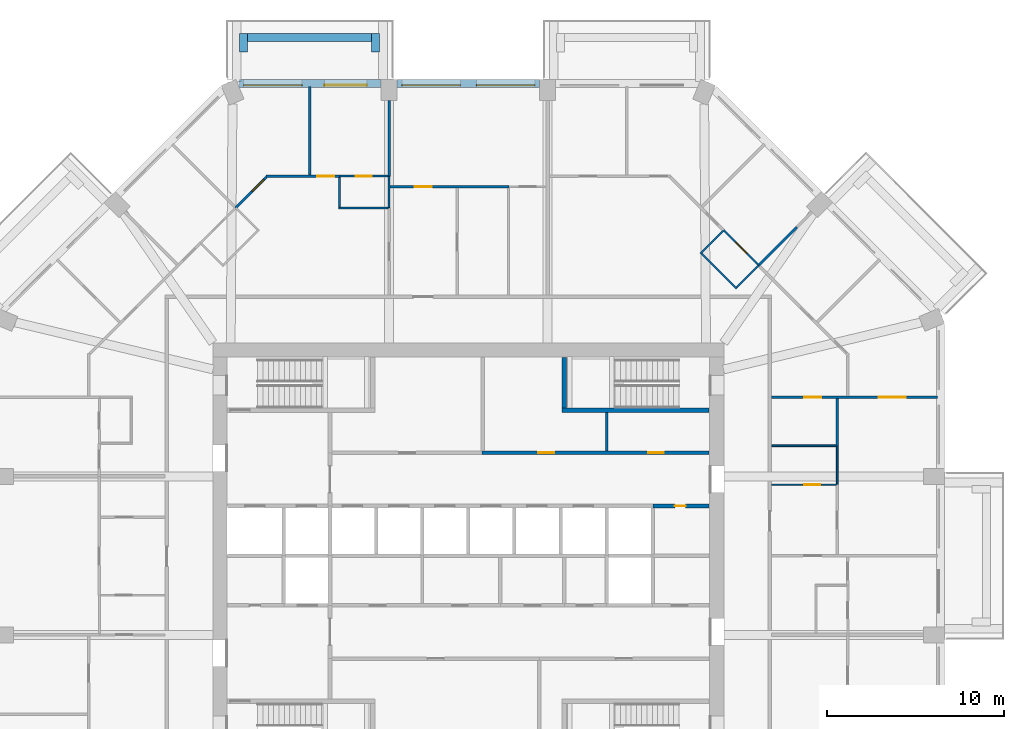
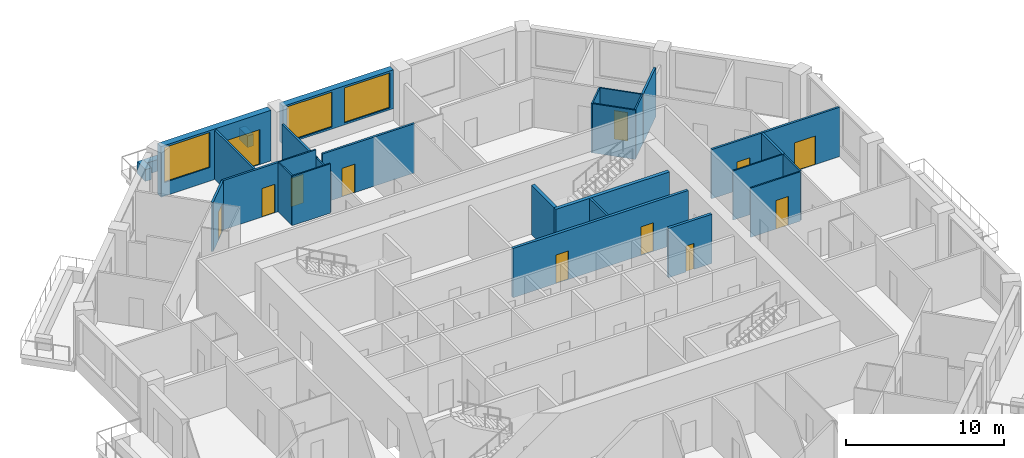
# One storey, part 9 of 13: 29 walls, 12 doors, 3 windows, 15 openings.
"""IFC4 building model written with IfcOpenShell, lengths in metres."""

from ifc_helpers import new_model, si_unit, direction, frame, frame_2d, origin, place, context, subcontext, project, spatial, rectangle, extrude, material, layer, layer_set, type_object, element, fill, save


model = new_model("IFC4")

# Units and contexts
model_context = context("Model", 3, precision=1e-05, world=origin(), true_north=direction((0.0, 1.0)))
body_context = subcontext(model_context, "Body", "Model", "MODEL_VIEW")
ifc_project = project(units=[si_unit("LENGTHUNIT", "METRE"), si_unit("AREAUNIT", "SQUARE_METRE"), si_unit("VOLUMEUNIT", "CUBIC_METRE"), si_unit("PLANEANGLEUNIT", "RADIAN"), si_unit("MASSUNIT", "GRAM", prefix="KILO")], contexts=[model_context])

# Site, building, storey
site_placement = place(None, origin())
site = spatial("IfcSite", under=ifc_project, at=site_placement, CompositionType="ELEMENT")
building_placement = place(site_placement, origin())
building = spatial("IfcBuilding", under=site, at=building_placement, Name="Msitu Wima Residences", CompositionType="ELEMENT")
storey_placement = place(building_placement, frame((0.0, 0.0, 152.699951171875)))
storey = spatial("IfcBuildingStorey", under=building, at=storey_placement, Name="L35", CompositionType="ELEMENT", Elevation=152.699951171875)

# Walls
ifc_material_1 = material(Name="Facing brick")
ifc_layer_1 = layer(ifc_material_1, 0.06494140625, Name="Facing brick")
ifc_material_2 = material(Name="Concrete C40/50", Category="concrete")
ifc_layer_2 = layer(ifc_material_2, 0.156005859375, Name="Concrete C40/50")
ifc_material_3 = material(Name="Waterproofing membrane")
ifc_layer_3 = layer(ifc_material_3, 0.00390625, Name="Waterproofing membrane")
ifc_material_4 = material(Name="Planting soil and planting")
ifc_layer_4 = layer(ifc_material_4, 0.22509765625, Name="Planting soil and planting")
ifc_layer_set_1 = layer_set([ifc_layer_1, ifc_layer_2, ifc_layer_3, ifc_layer_4], Name="Concrete C40/50")
wall_type_1 = type_object("IfcWallType", Name="Balcony planter PLANTER PL450", PredefinedType="USERDEFINED", material=ifc_layer_set_1)
wall_1_placement = place(storey_placement, frame((-5.468505859375, 29.22509765625, 0.0), z_axis=(0.0, 0.0, 1.0), x_axis=(-1.0, 0.0, 0.0)))
element("IfcWall", 1, at=wall_1_placement, inside=storey, type_object=wall_type_1, Name="Balcony planter N2 L35", ObjectType="PLANTER", PredefinedType="USERDEFINED", context=body_context, shape_type="SweptSolid", body=[
    extrude(rectangle(XDim=6.9873046875, YDim=0.449951171875, at=frame_2d((3.49365234375, 0.0))), origin(), (0.0, 0.0, 1.0), 0.900146484375),
])
for number, where, z_axis, x_axis, name in (
    (2, (-5.24365234375, 28.39990234375, 0.0), (0.0, 0.0, 1.0), (0.0, 1.0, 0.0), "Balcony planter N2 L35"),
    (3, (-12.680908203125, 28.39990234375, 0.0), (0.0, 0.0, 1.0), (0.0, 1.0, 0.0), "Balcony planter N2 L35"),
):
    element("IfcWall", number, at=place(storey_placement, frame(where, z_axis=z_axis, x_axis=x_axis)), inside=storey, type_object=wall_type_1, Name=name, ObjectType="PLANTER", PredefinedType="USERDEFINED", context=body_context, shape_type="SweptSolid", body=[
        extrude(rectangle(XDim=1.050048828125, YDim=0.449951171875, at=frame_2d((0.52490234375, 0.0))), origin(), (0.0, 0.0, 1.0), 0.900146484375),
    ])

# Wall, openings, windows
ifc_material_5 = material(Name="Brick (red buff mix)", Category="masonry")
ifc_layer_5 = layer(ifc_material_5, 0.449951171875)
ifc_layer_set_2 = layer_set([ifc_layer_5], Name="Brick (red buff mix)")
wall_type_2 = type_object("IfcWallType", Name="Brick infill wall BW450", PredefinedType="SOLIDWALL", material=ifc_layer_set_2)
wall_2_placement = place(storey_placement, frame((4.0185546875, 26.625, 0.900146484375), z_axis=(0.0, 0.0, 1.0), x_axis=(-1.0, 0.0, 0.0)))
wall_2 = element("IfcWall", 4, at=wall_2_placement, inside=storey, type_object=wall_type_2, Name="Brick infill wall L35 N1", PredefinedType="SOLIDWALL", context=body_context, shape_type="SweptSolid", body=[
    extrude(rectangle(XDim=8.037109375, YDim=0.449951171875, at=frame_2d((4.0185546875, 0.0))), origin(), (0.0, 0.0, 1.0), 3.0),
])
opening_1_placement = place(wall_2_placement, frame((0.2685546875, 0.0, 0.14990234375)))
opening_1 = element("IfcOpeningElement", 5, at=opening_1_placement, cuts=wall_2, Name="Opening W34-35.007", PredefinedType="OPENING", context=body_context, shape_type="SweptSolid", body=[
    extrude(rectangle(XDim=3.300048828125, YDim=2.699951171875, at=frame_2d((1.64990234375, 1.35009765625))), frame((0.0, 0.23486328125, 0.0), z_axis=(0.0, -1.0, 0.0), x_axis=(1.0, 0.0, 0.0)), (0.0, 0.0, 1.0), 0.469970703125),
])
opening_2_placement = place(wall_2_placement, frame((4.46875, 0.0, 0.14990234375)))
opening_2 = element("IfcOpeningElement", 6, at=opening_2_placement, cuts=wall_2, Name="Opening W34-35.008", PredefinedType="OPENING", context=body_context, shape_type="SweptSolid", body=[
    extrude(rectangle(XDim=3.300048828125, YDim=2.699951171875, at=frame_2d((1.64990234375, 1.35009765625))), frame((0.0, 0.23486328125, 0.0), z_axis=(0.0, -1.0, 0.0), x_axis=(1.0, 0.0, 0.0)), (0.0, 0.0, 1.0), 0.469970703125),
])
ifc_material_6 = material(Name="Anodised aluminium, bronze finish, clear low-emissivity double glazing", Category="aluminium")
window_type = type_object("IfcWindowType", Name="Window W3300x2700", PartitioningType="DOUBLE_PANEL_VERTICAL", PredefinedType="WINDOW", material=ifc_material_6)
window_1_placement = place(opening_1_placement, origin())
window_1 = element("IfcWindow", 7, at=window_1_placement, inside=storey, type_object=window_type, Name="Window L35 N1.1", OverallHeight=2.699951171875, OverallWidth=3.300048828125, PartitioningType="SINGLE_PANEL", PredefinedType="WINDOW", context=body_context, shape_type="SweptSolid", body=[
    extrude(rectangle(XDim=3.300048828125, YDim=2.699951171875, at=frame_2d((1.64990234375, 1.35009765625))), frame((0.0, 0.135009765625, 0.0), z_axis=(0.0, -1.0, 0.0), x_axis=(1.0, 0.0, 0.0)), (0.0, 0.0, 1.0), 0.06005859375),
])
fill(opening_1, window_1)
window_2_placement = place(opening_2_placement, origin())
window_2 = element("IfcWindow", 8, at=window_2_placement, inside=storey, type_object=window_type, Name="Window L35 N1.2", OverallHeight=2.699951171875, OverallWidth=3.300048828125, PartitioningType="SINGLE_PANEL", PredefinedType="WINDOW", context=body_context, shape_type="SweptSolid", body=[
    extrude(rectangle(XDim=3.300048828125, YDim=2.699951171875, at=frame_2d((1.64990234375, 1.35009765625))), frame((0.0, 0.135009765625, 0.0), z_axis=(0.0, -1.0, 0.0), x_axis=(1.0, 0.0, 0.0)), (0.0, 0.0, 1.0), 0.06005859375),
])
fill(opening_2, window_2)

# Wall, openings, door, window
wall_3_placement = place(storey_placement, frame((-4.918701171875, 26.625, 0.0), z_axis=(0.0, 0.0, 1.0), x_axis=(-1.0, 0.0, 0.0)))
wall_3 = element("IfcWall", 9, at=wall_3_placement, inside=storey, type_object=wall_type_2, Name="Brick infill wall L35 N2", PredefinedType="SOLIDWALL", context=body_context, shape_type="SweptSolid", body=[
    extrude(rectangle(XDim=8.0, YDim=0.449951171875, at=frame_2d((4.0, 0.0))), origin(), (0.0, 0.0, 1.0), 3.900146484375),
])
opening_3_placement = place(wall_3_placement, frame((0.800048828125, 0.0, 0.0)))
opening_3 = element("IfcOpeningElement", 10, at=opening_3_placement, cuts=wall_3, Name="Opening D34-35.003", PredefinedType="OPENING", context=body_context, shape_type="SweptSolid", body=[
    extrude(rectangle(XDim=2.39990234375, YDim=2.699951171875, at=frame_2d((1.199951171875, 1.35009765625))), frame((0.0, 0.23486328125, 0.0), z_axis=(0.0, -1.0, 0.0), x_axis=(1.0, 0.0, 0.0)), (0.0, 0.0, 1.0), 0.469970703125),
])
opening_4_placement = place(wall_3_placement, frame((4.4501953125, 0.0, 1.050048828125)))
opening_4 = element("IfcOpeningElement", 11, at=opening_4_placement, cuts=wall_3, Name="Opening W34-35.009", PredefinedType="OPENING", context=body_context, shape_type="SweptSolid", body=[
    extrude(rectangle(XDim=3.300048828125, YDim=2.699951171875, at=frame_2d((1.64990234375, 1.35009765625))), frame((0.0, 0.23486328125, 0.0), z_axis=(0.0, -1.0, 0.0), x_axis=(1.0, 0.0, 0.0)), (0.0, 0.0, 1.0), 0.469970703125),
])
door_type_1 = type_object("IfcDoorType", Name="Balcony door D2400x2700", OperationType="SLIDING_TO_LEFT", PredefinedType="DOOR", material=ifc_material_6)
door_1_placement = place(opening_3_placement, origin())
door_1 = element("IfcDoor", 12, at=door_1_placement, inside=storey, type_object=door_type_1, Name="Balcony door L35 N2", OperationType="SINGLE_SWING_LEFT", OverallHeight=2.699951171875, OverallWidth=2.39990234375, PredefinedType="DOOR", context=body_context, shape_type="SweptSolid", body=[
    extrude(rectangle(XDim=2.39990234375, YDim=2.699951171875, at=frame_2d((1.199951171875, 1.35009765625))), frame((0.0, 0.1298828125, 0.0), z_axis=(0.0, -1.0, 0.0), x_axis=(1.0, 0.0, 0.0)), (0.0, 0.0, 1.0), 0.050048828125),
])
fill(opening_3, door_1)
window_3_placement = place(opening_4_placement, origin())
window_3 = element("IfcWindow", 13, at=window_3_placement, inside=storey, type_object=window_type, Name="Window L35 N2.2", OverallHeight=2.699951171875, OverallWidth=3.300048828125, PartitioningType="SINGLE_PANEL", PredefinedType="WINDOW", context=body_context, shape_type="SweptSolid", body=[
    extrude(rectangle(XDim=3.300048828125, YDim=2.699951171875, at=frame_2d((1.64990234375, 1.35009765625))), frame((0.0, 0.135009765625, 0.0), z_axis=(0.0, -1.0, 0.0), x_axis=(1.0, 0.0, 0.0)), (0.0, 0.0, 1.0), 0.06005859375),
])
fill(opening_4, window_3)

# Wall, openings, doors
ifc_material_7 = material(Name="Plaster")
ifc_layer_6 = layer(ifc_material_7, 0.011962890625, Name="Plaster")
ifc_material_8 = material(Name="Concrete blockwork", Category="masonry")
ifc_layer_7 = layer(ifc_material_8, 0.176025390625, Name="Concrete blockwork")
ifc_layer_8 = layer(ifc_material_7, 0.011962890625, Name="Plaster")
ifc_layer_set_3 = layer_set([ifc_layer_6, ifc_layer_7, ifc_layer_8], Name="Concrete blockwork")
wall_type_3 = type_object("IfcWallType", Name="Corridor wall FW200", PredefinedType="PARTITIONING", material=ifc_layer_set_3)
wall_4_placement = place(storey_placement, frame((0.780029296875, 5.800048828125, 0.0), z_axis=(0.0, 0.0, 1.0), x_axis=(1.0, 0.0, 0.0)))
wall_4 = element("IfcWall", 14, at=wall_4_placement, inside=storey, type_object=wall_type_3, Name="Corridor wall", PredefinedType="PARTITIONING", context=body_context, shape_type="SweptSolid", body=[
    extrude(rectangle(XDim=12.7900390625, YDim=0.199951171875, at=frame_2d((6.39501953125, 0.0))), origin(), (0.0, 0.0, 1.0), 3.798095703125),
])
opening_5_placement = place(wall_4_placement, frame((3.14990234375, 0.0, 0.0)))
opening_5 = element("IfcOpeningElement", 15, at=opening_5_placement, cuts=wall_4, Name="Opening D34-35.021", PredefinedType="OPENING", context=body_context, shape_type="SweptSolid", body=[
    extrude(rectangle(XDim=0.89990234375, YDim=2.199951171875, at=frame_2d((0.449951171875, 1.10009765625))), frame((0.0, 0.10986328125, 0.0), z_axis=(0.0, -1.0, 0.0), x_axis=(1.0, 0.0, 0.0)), (0.0, 0.0, 1.0), 0.219970703125),
])
opening_6_placement = place(wall_4_placement, frame((9.35009765625, 0.0, 0.0)))
opening_6 = element("IfcOpeningElement", 16, at=opening_6_placement, cuts=wall_4, Name="Opening D34-35.022", PredefinedType="OPENING", context=body_context, shape_type="SweptSolid", body=[
    extrude(rectangle(XDim=0.89990234375, YDim=2.199951171875, at=frame_2d((0.449951171875, 1.10009765625))), frame((0.0, 0.10986328125, 0.0), z_axis=(0.0, -1.0, 0.0), x_axis=(1.0, 0.0, 0.0)), (0.0, 0.0, 1.0), 0.219970703125),
])
ifc_material_9 = material(Name="Timber flush door", Category="wood")
door_type_2 = type_object("IfcDoorType", Name="Service door D05 900x2200", OperationType="SINGLE_SWING_LEFT", PredefinedType="DOOR", material=ifc_material_9)
door_2_placement = place(opening_5_placement, origin())
door_2 = element("IfcDoor", 17, at=door_2_placement, inside=storey, type_object=door_type_2, Name="Service door", OperationType="SINGLE_SWING_RIGHT", OverallHeight=2.199951171875, OverallWidth=0.89990234375, PredefinedType="DOOR", context=body_context, shape_type="SweptSolid", body=[
    extrude(rectangle(XDim=0.89990234375, YDim=2.199951171875, at=frame_2d((0.449951171875, 1.10009765625))), frame((0.0, 0.02490234375, 0.0), z_axis=(0.0, -1.0, 0.0), x_axis=(1.0, 0.0, 0.0)), (0.0, 0.0, 1.0), 0.050048828125),
])
fill(opening_5, door_2)
door_3_placement = place(opening_6_placement, origin())
door_3 = element("IfcDoor", 18, at=door_3_placement, inside=storey, type_object=door_type_2, Name="Service door", OperationType="SINGLE_SWING_LEFT", OverallHeight=2.199951171875, OverallWidth=0.89990234375, PredefinedType="DOOR", context=body_context, shape_type="SweptSolid", body=[
    extrude(rectangle(XDim=0.89990234375, YDim=2.199951171875, at=frame_2d((0.449951171875, 1.10009765625))), frame((0.0, 0.02490234375, 0.0), z_axis=(0.0, -1.0, 0.0), x_axis=(1.0, 0.0, 0.0)), (0.0, 0.0, 1.0), 0.050048828125),
])
fill(opening_6, door_3)

# Wall, opening, door
ifc_layer_9 = layer(ifc_material_7, 0.011962890625, Name="Plaster")
ifc_layer_10 = layer(ifc_material_8, 0.1259765625, Name="Concrete blockwork")
ifc_layer_11 = layer(ifc_material_7, 0.011962890625, Name="Plaster")
ifc_layer_set_4 = layer_set([ifc_layer_9, ifc_layer_10, ifc_layer_11], Name="Concrete blockwork")
wall_type_4 = type_object("IfcWallType", Name="Partition PW150", PredefinedType="PARTITIONING", material=ifc_layer_set_4)
wall_5_placement = place(storey_placement, frame((-13.118896484375, 19.615966796875, 0.0), z_axis=(0.0, 0.0, 1.0), x_axis=(0.707106781187, 0.707106781187, 0.0)))
wall_5 = element("IfcWall", 19, at=wall_5_placement, inside=storey, type_object=wall_type_4, Name="Partition", PredefinedType="PARTITIONING", context=body_context, shape_type="SweptSolid", body=[
    extrude(rectangle(XDim=2.447998046875, YDim=0.14990234375, at=frame_2d((1.22412109375, 0.0))), origin(), (0.0, 0.0, 1.0), 3.798095703125),
])
opening_7_placement = place(wall_5_placement, frame((1.300048828125, 0.0, 0.0)))
opening_7 = element("IfcOpeningElement", 20, at=opening_7_placement, cuts=wall_5, Name="Opening D34-35.056", PredefinedType="OPENING", context=body_context, shape_type="SweptSolid", body=[
    extrude(rectangle(XDim=0.949951171875, YDim=2.199951171875, at=frame_2d((0.47509765625, 1.10009765625))), frame((0.0, 0.0849609375, 0.0), z_axis=(0.0, -1.0, 0.0), x_axis=(1.0, 0.0, 0.0)), (0.0, 0.0, 1.0), 0.169921875),
])
door_type_3 = type_object("IfcDoorType", Name="Room door D12 950x2200", OperationType="SINGLE_SWING_LEFT", PredefinedType="DOOR", material=ifc_material_9)
door_4_placement = place(opening_7_placement, origin())
door_4 = element("IfcDoor", 21, at=door_4_placement, inside=storey, type_object=door_type_3, Name="Room door", OperationType="SINGLE_SWING_LEFT", OverallHeight=2.199951171875, OverallWidth=0.949951171875, PredefinedType="DOOR", context=body_context, shape_type="SweptSolid", body=[
    extrude(rectangle(XDim=0.949951171875, YDim=2.199951171875, at=frame_2d((0.47509765625, 1.10009765625))), frame((0.0, 0.02490234375, 0.0), z_axis=(0.0, -1.0, 0.0), x_axis=(1.0, 0.0, 0.0)), (0.0, 0.0, 1.0), 0.050048828125),
])
fill(opening_7, door_4)

wall_6_placement = place(storey_placement, frame((-11.409912109375, 21.39990234375, 0.0), z_axis=(0.0, 0.0, 1.0), x_axis=(1.0, 0.0, 0.0)))
wall_6 = element("IfcWall", 22, at=wall_6_placement, inside=storey, type_object=wall_type_4, Name="Partition", PredefinedType="PARTITIONING", context=body_context, shape_type="SweptSolid", body=[
    extrude(rectangle(XDim=4.161376953125, YDim=0.14990234375, at=frame_2d((2.08056640625, 0.0))), origin(), (0.0, 0.0, 1.0), 3.798095703125),
])
opening_8_placement = place(wall_6_placement, frame((2.89990234375, 0.0, 0.0)))
opening_8 = element("IfcOpeningElement", 23, at=opening_8_placement, cuts=wall_6, Name="Opening D34-35.049", PredefinedType="OPENING", context=body_context, shape_type="SweptSolid", body=[
    extrude(rectangle(XDim=0.949951171875, YDim=2.199951171875, at=frame_2d((0.47509765625, 1.10009765625))), frame((0.0, 0.0849609375, 0.0), z_axis=(0.0, -1.0, 0.0), x_axis=(1.0, 0.0, 0.0)), (0.0, 0.0, 1.0), 0.169921875),
])
door_5_placement = place(opening_8_placement, origin())
door_5 = element("IfcDoor", 24, at=door_5_placement, inside=storey, type_object=door_type_3, Name="Room door", OperationType="SINGLE_SWING_LEFT", OverallHeight=2.199951171875, OverallWidth=0.949951171875, PredefinedType="DOOR", context=body_context, shape_type="SweptSolid", body=[
    extrude(rectangle(XDim=0.949951171875, YDim=2.199951171875, at=frame_2d((0.47509765625, 1.10009765625))), frame((0.0, 0.02490234375, 0.0), z_axis=(0.0, -1.0, 0.0), x_axis=(1.0, 0.0, 0.0)), (0.0, 0.0, 1.0), 0.050048828125),
])
fill(opening_8, door_5)

# Wall
wall_7_placement = place(storey_placement, frame((-8.937255859375, 21.47509765625, 0.0), z_axis=(0.0, 0.0, 1.0), x_axis=(0.0, 1.0, 0.0)))
element("IfcWall", 25, at=wall_7_placement, inside=storey, type_object=wall_type_4, Name="Partition", PredefinedType="PARTITIONING", context=body_context, shape_type="SweptSolid", body=[
    extrude(rectangle(XDim=4.97998046875, YDim=0.14990234375, at=frame_2d((2.489990234375, 0.0))), origin(), (0.0, 0.0, 1.0), 3.798095703125),
])

# Wall, opening, door
wall_8_placement = place(storey_placement, frame((-4.418701171875, 20.800048828125, 0.0), z_axis=(0.0, 0.0, 1.0), x_axis=(1.0, 0.0, 0.0)))
wall_8 = element("IfcWall", 26, at=wall_8_placement, inside=storey, type_object=wall_type_4, Name="Partition", PredefinedType="PARTITIONING", context=body_context, shape_type="SweptSolid", body=[
    extrude(rectangle(XDim=6.707275390625, YDim=0.14990234375, at=frame_2d((3.353515625, 0.0))), origin(), (0.0, 0.0, 1.0), 3.798095703125),
])
opening_9_placement = place(wall_8_placement, frame((1.39990234375, 0.0, 0.0)))
opening_9 = element("IfcOpeningElement", 27, at=opening_9_placement, cuts=wall_8, Name="Opening D34-35.046", PredefinedType="OPENING", context=body_context, shape_type="SweptSolid", body=[
    extrude(rectangle(XDim=0.949951171875, YDim=2.199951171875, at=frame_2d((0.47509765625, 1.10009765625))), frame((0.0, 0.0849609375, 0.0), z_axis=(0.0, -1.0, 0.0), x_axis=(1.0, 0.0, 0.0)), (0.0, 0.0, 1.0), 0.169921875),
])
door_6_placement = place(opening_9_placement, origin())
door_6 = element("IfcDoor", 28, at=door_6_placement, inside=storey, type_object=door_type_3, Name="Room door", OperationType="SINGLE_SWING_LEFT", OverallHeight=2.199951171875, OverallWidth=0.949951171875, PredefinedType="DOOR", context=body_context, shape_type="SweptSolid", body=[
    extrude(rectangle(XDim=0.949951171875, YDim=2.199951171875, at=frame_2d((0.47509765625, 1.10009765625))), frame((0.0, 0.02490234375, 0.0), z_axis=(0.0, -1.0, 0.0), x_axis=(1.0, 0.0, 0.0)), (0.0, 0.0, 1.0), 0.050048828125),
])
fill(opening_9, door_6)

# Walls
wall_9_placement = place(storey_placement, frame((-4.46875, 21.3798828125, 0.0), z_axis=(0.0, 0.0, 1.0), x_axis=(0.0, 1.0, 0.0)))
element("IfcWall", 29, at=wall_9_placement, inside=storey, type_object=wall_type_4, Name="Partition", PredefinedType="PARTITIONING", context=body_context, shape_type="SweptSolid", body=[
    extrude(rectangle(XDim=4.27001953125, YDim=0.14990234375, at=frame_2d((2.135009765625, 0.0))), origin(), (0.0, 0.0, 1.0), 3.150146484375),
])
wall_10_placement = place(storey_placement, frame((7.800048828125, 5.89990234375, 0.0), z_axis=(0.0, 0.0, 1.0), x_axis=(0.0, 1.0, 0.0)))
element("IfcWall", 30, at=wall_10_placement, inside=storey, type_object=wall_type_4, Name="Partition", PredefinedType="PARTITIONING", context=body_context, shape_type="SweptSolid", body=[
    extrude(rectangle(XDim=2.175048828125, YDim=0.14990234375, at=frame_2d((1.08740234375, 0.0))), origin(), (0.0, 0.0, 1.0), 3.798095703125),
])
wall_11_placement = place(storey_placement, frame((16.353271484375, 16.353271484375, 0.0), z_axis=(0.0, 0.0, 1.0), x_axis=(0.707106781187, 0.707106781187, 0.0)))
element("IfcWall", 31, at=wall_11_placement, inside=storey, type_object=wall_type_4, Name="Partition", PredefinedType="PARTITIONING", context=body_context, shape_type="SweptSolid", body=[
    extrude(rectangle(XDim=3.060791015625, YDim=0.14990234375, at=frame_2d((1.5302734375, 0.0))), origin(), (0.0, 0.0, 1.0), 3.798095703125),
])

# Wall, openings, doors
wall_12_placement = place(storey_placement, frame((17.10009765625, 8.937255859375, 0.0), z_axis=(0.0, 0.0, 1.0), x_axis=(1.0, 0.0, 0.0)))
wall_12 = element("IfcWall", 32, at=wall_12_placement, inside=storey, type_object=wall_type_4, Name="Partition", PredefinedType="PARTITIONING", context=body_context, shape_type="SweptSolid", body=[
    extrude(rectangle(XDim=9.35498046875, YDim=0.14990234375, at=frame_2d((4.677490234375, 0.0))), origin(), (0.0, 0.0, 1.0), 3.798095703125),
])
opening_10_placement = place(wall_12_placement, frame((6.050048828125, 0.0, 0.0)))
opening_10 = element("IfcOpeningElement", 33, at=opening_10_placement, cuts=wall_12, Name="Opening D34-35.086", PredefinedType="OPENING", context=body_context, shape_type="SweptSolid", body=[
    extrude(rectangle(XDim=1.5, YDim=2.199951171875, at=frame_2d((0.75, 1.10009765625))), frame((0.0, 0.0849609375, 0.0), z_axis=(0.0, -1.0, 0.0), x_axis=(1.0, 0.0, 0.0)), (0.0, 0.0, 1.0), 0.169921875),
])
opening_11_placement = place(wall_12_placement, frame((1.85009765625, 0.0, 0.0)))
opening_11 = element("IfcOpeningElement", 34, at=opening_11_placement, cuts=wall_12, Name="Opening D34-35.042", PredefinedType="OPENING", context=body_context, shape_type="SweptSolid", body=[
    extrude(rectangle(XDim=0.949951171875, YDim=2.199951171875, at=frame_2d((0.47509765625, 1.10009765625))), frame((0.0, 0.0849609375, 0.0), z_axis=(0.0, -1.0, 0.0), x_axis=(1.0, 0.0, 0.0)), (0.0, 0.0, 1.0), 0.169921875),
])
ifc_material_10 = material(Name="Timber double door", Category="wood")
door_type_4 = type_object("IfcDoorType", Name="Double door D04 1500x2200", OperationType="DOUBLE_DOOR_SINGLE_SWING", PredefinedType="DOOR", material=ifc_material_10)
door_7_placement = place(opening_10_placement, origin())
door_7 = element("IfcDoor", 35, at=door_7_placement, inside=storey, type_object=door_type_4, Name="Double door", OperationType="DOUBLE_DOOR_SINGLE_SWING", OverallHeight=2.199951171875, OverallWidth=1.5, PredefinedType="DOOR", context=body_context, shape_type="SweptSolid", body=[
    extrude(rectangle(XDim=1.5, YDim=2.199951171875, at=frame_2d((0.75, 1.10009765625))), frame((0.0, 0.02490234375, 0.0), z_axis=(0.0, -1.0, 0.0), x_axis=(1.0, 0.0, 0.0)), (0.0, 0.0, 1.0), 0.050048828125),
])
fill(opening_10, door_7)
door_8_placement = place(opening_11_placement, origin())
door_8 = element("IfcDoor", 36, at=door_8_placement, inside=storey, type_object=door_type_3, Name="Room door", OperationType="SINGLE_SWING_LEFT", OverallHeight=2.199951171875, OverallWidth=0.949951171875, PredefinedType="DOOR", context=body_context, shape_type="SweptSolid", body=[
    extrude(rectangle(XDim=0.949951171875, YDim=2.199951171875, at=frame_2d((0.47509765625, 1.10009765625))), frame((0.0, 0.02490234375, 0.0), z_axis=(0.0, -1.0, 0.0), x_axis=(1.0, 0.0, 0.0)), (0.0, 0.0, 1.0), 0.050048828125),
])
fill(opening_11, door_8)

# Wall
wall_13_placement = place(storey_placement, frame((20.800048828125, 6.179931640625, 0.0), z_axis=(0.0, 0.0, 1.0), x_axis=(0.0, 1.0, 0.0)))
element("IfcWall", 37, at=wall_13_placement, inside=storey, type_object=wall_type_4, Name="Partition", PredefinedType="PARTITIONING", context=body_context, shape_type="SweptSolid", body=[
    extrude(rectangle(XDim=2.682373046875, YDim=0.14990234375, at=frame_2d((1.34130859375, 0.0))), origin(), (0.0, 0.0, 1.0), 3.798095703125),
])

# Wall, opening, door
ifc_layer_12 = layer(ifc_material_7, 0.011962890625, Name="Plaster")
ifc_material_11 = material(Name="Reinforced concrete blockwork", Category="masonry")
ifc_layer_13 = layer(ifc_material_11, 0.176025390625, Name="Reinforced concrete blockwork")
ifc_layer_14 = layer(ifc_material_7, 0.011962890625, Name="Plaster")
ifc_layer_set_5 = layer_set([ifc_layer_12, ifc_layer_13, ifc_layer_14], Name="Reinforced concrete blockwork")
wall_type_5 = type_object("IfcWallType", Name="Plant and riser wall PL200", PredefinedType="PARTITIONING", material=ifc_layer_set_5)
wall_14_placement = place(storey_placement, frame((10.39990234375, 2.800048828125, 0.0), z_axis=(0.0, 0.0, 1.0), x_axis=(1.0, 0.0, 0.0)))
wall_14 = element("IfcWall", 38, at=wall_14_placement, inside=storey, type_object=wall_type_5, Name="Plant and riser wall", PredefinedType="PARTITIONING", context=body_context, shape_type="SweptSolid", body=[
    extrude(rectangle(XDim=3.170166015625, YDim=0.199951171875, at=frame_2d((1.5849609375, 0.0))), origin(), (0.0, 0.0, 1.0), 3.798095703125),
])
opening_12_placement = place(wall_14_placement, frame((1.25, 0.0, 0.0)))
opening_12 = element("IfcOpeningElement", 39, at=opening_12_placement, cuts=wall_14, Name="Opening D34-35.027", PredefinedType="OPENING", context=body_context, shape_type="SweptSolid", body=[
    extrude(rectangle(XDim=0.60009765625, YDim=2.0, at=frame_2d((0.300048828125, 1.0))), frame((0.0, 0.10986328125, 0.0), z_axis=(0.0, -1.0, 0.0), x_axis=(1.0, 0.0, 0.0)), (0.0, 0.0, 1.0), 0.219970703125),
])
ifc_material_12 = material(Name="Steel access door, fire resisting", Category="steel")
door_type_5 = type_object("IfcDoorType", Name="Riser access door D08 600x2000", OperationType="SINGLE_SWING_LEFT", PredefinedType="DOOR", material=ifc_material_12)
door_9_placement = place(opening_12_placement, origin())
door_9 = element("IfcDoor", 40, at=door_9_placement, inside=storey, type_object=door_type_5, Name="Riser access door", OperationType="SINGLE_SWING_RIGHT", OverallHeight=2.0, OverallWidth=0.60009765625, PredefinedType="DOOR", context=body_context, shape_type="SweptSolid", body=[
    extrude(rectangle(XDim=0.60009765625, YDim=2.0, at=frame_2d((0.300048828125, 1.0))), frame((0.0, 0.02490234375, 0.0), z_axis=(0.0, -1.0, 0.0), x_axis=(1.0, 0.0, 0.0)), (0.0, 0.0, 1.0), 0.050048828125),
])
fill(opening_12, door_9)

# Walls
ifc_material_13 = material(Name="Concrete C50/60", Category="concrete")
ifc_layer_15 = layer(ifc_material_13, 0.25)
ifc_layer_set_6 = layer_set([ifc_layer_15], Name="Concrete C50/60")
wall_type_6 = type_object("IfcWallType", Name="Stair enclosure wall SW250", PredefinedType="SHEAR", material=ifc_layer_set_6)
wall_15_placement = place(storey_placement, frame((5.39990234375, 8.324951171875, 0.0), z_axis=(0.0, 0.0, 1.0), x_axis=(0.0, 1.0, 0.0)))
element("IfcWall", 41, at=wall_15_placement, inside=storey, type_object=wall_type_6, Name="Stair enclosure wall", PredefinedType="SHEAR", context=body_context, shape_type="SweptSolid", body=[
    extrude(rectangle(XDim=2.844970703125, YDim=0.25, at=frame_2d((1.42236328125, 0.0))), origin(), (0.0, 0.0, 1.0), 3.798095703125),
])
wall_16_placement = place(storey_placement, frame((5.27490234375, 8.199951171875, 0.0), z_axis=(0.0, 0.0, 1.0), x_axis=(1.0, 0.0, 0.0)))
element("IfcWall", 42, at=wall_16_placement, inside=storey, type_object=wall_type_6, Name="Stair enclosure wall", PredefinedType="SHEAR", context=body_context, shape_type="SweptSolid", body=[
    extrude(rectangle(XDim=8.295166015625, YDim=0.25, at=frame_2d((4.1474609375, 0.0))), origin(), (0.0, 0.0, 1.0), 3.798095703125),
])

# Wall, opening, door
ifc_material_14 = material(Name="Ceramic tiles")
ifc_layer_16 = layer(ifc_material_14, 0.008056640625, Name="Ceramic tiles")
ifc_material_15 = material(Name="Moisture-resistant board")
ifc_layer_17 = layer(ifc_material_15, 0.012451171875, Name="Moisture-resistant board")
ifc_material_16 = material(Name="Light-gauge stud framing with mineral wool")
ifc_layer_18 = layer(ifc_material_16, 0.06689453125, Name="Light-gauge stud framing with mineral wool")
ifc_layer_19 = layer(ifc_material_15, 0.012451171875, Name="Moisture-resistant board")
ifc_layer_set_7 = layer_set([ifc_layer_16, ifc_layer_17, ifc_layer_18, ifc_layer_19], Name="Light-gauge stud framing with mineral wool")
wall_type_7 = type_object("IfcWallType", Name="Wet wall PW100", PredefinedType="PARTITIONING", material=ifc_layer_set_7)
wall_17_placement = place(storey_placement, frame((-7.24853515625, 21.39990234375, 0.0), z_axis=(0.0, 0.0, 1.0), x_axis=(1.0, 0.0, 0.0)))
wall_17 = element("IfcWall", 43, at=wall_17_placement, inside=storey, type_object=wall_type_7, Name="Wet wall", PredefinedType="PARTITIONING", context=body_context, shape_type="SweptSolid", body=[
    extrude(rectangle(XDim=2.704833984375, YDim=0.10009765625, at=frame_2d((1.3525390625, 0.0))), origin(), (0.0, 0.0, 1.0), 3.798095703125),
])
opening_13_placement = place(wall_17_placement, frame((0.89990234375, 0.0, 0.0)))
opening_13 = element("IfcOpeningElement", 44, at=opening_13_placement, cuts=wall_17, Name="Opening D34-35.051", PredefinedType="OPENING", context=body_context, shape_type="SweptSolid", body=[
    extrude(rectangle(XDim=0.89990234375, YDim=2.199951171875, at=frame_2d((0.449951171875, 1.10009765625))), frame((0.0, 0.06005859375, 0.0), z_axis=(0.0, -1.0, 0.0), x_axis=(1.0, 0.0, 0.0)), (0.0, 0.0, 1.0), 0.1201171875),
])
ifc_material_17 = material(Name="Timber flush door, moisture resistant", Category="wood")
door_type_6 = type_object("IfcDoorType", Name="Bathroom door D03 900x2200", OperationType="SINGLE_SWING_LEFT", PredefinedType="DOOR", material=ifc_material_17)
door_10_placement = place(opening_13_placement, origin())
door_10 = element("IfcDoor", 45, at=door_10_placement, inside=storey, type_object=door_type_6, Name="Bathroom door", OperationType="SINGLE_SWING_RIGHT", OverallHeight=2.199951171875, OverallWidth=0.89990234375, PredefinedType="DOOR", context=body_context, shape_type="SweptSolid", body=[
    extrude(rectangle(XDim=0.89990234375, YDim=2.199951171875, at=frame_2d((0.449951171875, 1.10009765625))), frame((0.0, 0.02490234375, 0.0), z_axis=(0.0, -1.0, 0.0), x_axis=(1.0, 0.0, 0.0)), (0.0, 0.0, 1.0), 0.050048828125),
])
fill(opening_13, door_10)

# Walls
wall_18_placement = place(storey_placement, frame((-7.2685546875, 19.64990234375, 0.0), z_axis=(0.0, 0.0, 1.0), x_axis=(0.0, 1.0, 0.0)))
element("IfcWall", 46, at=wall_18_placement, inside=storey, type_object=wall_type_7, Name="Wet wall", PredefinedType="PARTITIONING", context=body_context, shape_type="SweptSolid", body=[
    extrude(rectangle(XDim=1.675048828125, YDim=0.10009765625, at=frame_2d((0.83740234375, 0.0))), origin(), (0.0, 0.0, 1.0), 3.798095703125),
])
wall_19_placement = place(storey_placement, frame((-7.318603515625, 19.60009765625, 0.0), z_axis=(0.0, 0.0, 1.0), x_axis=(1.0, 0.0, 0.0)))
element("IfcWall", 47, at=wall_19_placement, inside=storey, type_object=wall_type_7, Name="Wet wall", PredefinedType="PARTITIONING", context=body_context, shape_type="SweptSolid", body=[
    extrude(rectangle(XDim=2.800048828125, YDim=0.10009765625, at=frame_2d((1.39990234375, 0.0))), origin(), (0.0, 0.0, 1.0), 3.798095703125),
])
wall_20_placement = place(storey_placement, frame((-4.46875, 19.6201171875, 0.0), z_axis=(0.0, 0.0, 1.0), x_axis=(0.0, 1.0, 0.0)))
element("IfcWall", 48, at=wall_20_placement, inside=storey, type_object=wall_type_7, Name="Wet wall", PredefinedType="PARTITIONING", context=body_context, shape_type="SweptSolid", body=[
    extrude(rectangle(XDim=1.759765625, YDim=0.10009765625, at=frame_2d((0.8798828125, 0.0))), origin(), (0.0, 0.0, 1.0), 3.150146484375),
])
wall_21_placement = place(storey_placement, frame((13.079345703125, 17.0390625, 0.0), z_axis=(0.0, 0.0, 1.0), x_axis=(0.707038962956, 0.707174592913, 0.0)))
element("IfcWall", 49, at=wall_21_placement, inside=storey, type_object=wall_type_7, Name="Wet wall", PredefinedType="PARTITIONING", context=body_context, shape_type="SweptSolid", body=[
    extrude(rectangle(XDim=1.800048828125, YDim=0.10009765625, at=frame_2d((0.89990234375, 0.0))), origin(), (0.0, 0.0, 1.0), 3.798095703125),
])
wall_22_placement = place(storey_placement, frame((13.150146484375, 17.0390625, 0.0), z_axis=(0.0, 0.0, 1.0), x_axis=(0.707106781187, -0.707106781187, 0.0)))
element("IfcWall", 50, at=wall_22_placement, inside=storey, type_object=wall_type_7, Name="Wet wall", PredefinedType="PARTITIONING", context=body_context, shape_type="SweptSolid", body=[
    extrude(rectangle(XDim=2.7998046875, YDim=0.10009765625, at=frame_2d((1.39990234375, 0.0))), origin(), (0.0, 0.0, 1.0), 3.798095703125),
])

# Wall, opening, door
wall_23_placement = place(storey_placement, frame((14.387451171875, 18.347412109375, 0.0), z_axis=(0.0, 0.0, 1.0), x_axis=(0.707106781187, -0.707106781187, 0.0)))
wall_23 = element("IfcWall", 51, at=wall_23_placement, inside=storey, type_object=wall_type_7, Name="Wet wall", PredefinedType="PARTITIONING", context=body_context, shape_type="SweptSolid", body=[
    extrude(rectangle(XDim=2.800048828125, YDim=0.10009765625, at=frame_2d((1.39990234375, 0.0))), origin(), (0.0, 0.0, 1.0), 3.798095703125),
])
opening_14_placement = place(wall_23_placement, frame((0.949951171875, 0.0, 0.0)))
opening_14 = element("IfcOpeningElement", 52, at=opening_14_placement, cuts=wall_23, Name="Opening D34-35.040", PredefinedType="OPENING", context=body_context, shape_type="SweptSolid", body=[
    extrude(rectangle(XDim=0.89990234375, YDim=2.199951171875, at=frame_2d((0.449951171875, 1.10009765625))), frame((0.0, 0.06005859375, 0.0), z_axis=(0.0, -1.0, 0.0), x_axis=(1.0, 0.0, 0.0)), (0.0, 0.0, 1.0), 0.1201171875),
])
door_11_placement = place(opening_14_placement, origin())
door_11 = element("IfcDoor", 53, at=door_11_placement, inside=storey, type_object=door_type_6, Name="Bathroom door", OperationType="SINGLE_SWING_LEFT", OverallHeight=2.199951171875, OverallWidth=0.89990234375, PredefinedType="DOOR", context=body_context, shape_type="SweptSolid", body=[
    extrude(rectangle(XDim=0.89990234375, YDim=2.199951171875, at=frame_2d((0.449951171875, 1.10009765625))), frame((0.0, 0.02490234375, 0.0), z_axis=(0.0, -1.0, 0.0), x_axis=(1.0, 0.0, 0.0)), (0.0, 0.0, 1.0), 0.050048828125),
])
fill(opening_14, door_11)

# Wall
wall_24_placement = place(storey_placement, frame((15.1298828125, 15.1298828125, 0.0), z_axis=(0.0, 0.0, 1.0), x_axis=(0.707106781187, 0.707106781187, 0.0)))
element("IfcWall", 54, at=wall_24_placement, inside=storey, type_object=wall_type_7, Name="Wet wall", PredefinedType="PARTITIONING", context=body_context, shape_type="SweptSolid", body=[
    extrude(rectangle(XDim=1.730224609375, YDim=0.10009765625, at=frame_2d((0.865234375, 0.0))), origin(), (0.0, 0.0, 1.0), 3.798095703125),
])

# Wall, opening, door
wall_25_placement = place(storey_placement, frame((17.10009765625, 4.0, 0.0), z_axis=(0.0, 0.0, 1.0), x_axis=(1.0, 0.0, 0.0)))
wall_25 = element("IfcWall", 55, at=wall_25_placement, inside=storey, type_object=wall_type_7, Name="Wet wall", PredefinedType="PARTITIONING", context=body_context, shape_type="SweptSolid", body=[
    extrude(rectangle(XDim=3.64990234375, YDim=0.10009765625, at=frame_2d((1.824951171875, 0.0))), origin(), (0.0, 0.0, 1.0), 3.798095703125),
])
opening_15_placement = place(wall_25_placement, frame((1.85009765625, 0.0, 0.0)))
opening_15 = element("IfcOpeningElement", 56, at=opening_15_placement, cuts=wall_25, Name="Opening D34-35.061", PredefinedType="OPENING", context=body_context, shape_type="SweptSolid", body=[
    extrude(rectangle(XDim=0.89990234375, YDim=2.199951171875, at=frame_2d((0.449951171875, 1.10009765625))), frame((0.0, 0.06005859375, 0.0), z_axis=(0.0, -1.0, 0.0), x_axis=(1.0, 0.0, 0.0)), (0.0, 0.0, 1.0), 0.1201171875),
])
door_12_placement = place(opening_15_placement, origin())
door_12 = element("IfcDoor", 57, at=door_12_placement, inside=storey, type_object=door_type_6, Name="Bathroom door", OperationType="SINGLE_SWING_RIGHT", OverallHeight=2.199951171875, OverallWidth=0.89990234375, PredefinedType="DOOR", context=body_context, shape_type="SweptSolid", body=[
    extrude(rectangle(XDim=0.89990234375, YDim=2.199951171875, at=frame_2d((0.449951171875, 1.10009765625))), frame((0.0, 0.02490234375, 0.0), z_axis=(0.0, -1.0, 0.0), x_axis=(1.0, 0.0, 0.0)), (0.0, 0.0, 1.0), 0.050048828125),
])
fill(opening_15, door_12)

# Walls
wall_26_placement = place(storey_placement, frame((17.10009765625, 6.199951171875, 0.0), z_axis=(0.0, 0.0, 1.0), x_axis=(1.0, 0.0, 0.0)))
element("IfcWall", 58, at=wall_26_placement, inside=storey, type_object=wall_type_7, Name="Wet wall", PredefinedType="PARTITIONING", context=body_context, shape_type="SweptSolid", body=[
    extrude(rectangle(XDim=3.625, YDim=0.10009765625, at=frame_2d((1.8125, 0.0))), origin(), (0.0, 0.0, 1.0), 3.798095703125),
])
wall_27_placement = place(storey_placement, frame((20.800048828125, 4.02001953125, 0.0), z_axis=(0.0, 0.0, 1.0), x_axis=(0.0, 1.0, 0.0)))
element("IfcWall", 59, at=wall_27_placement, inside=storey, type_object=wall_type_7, Name="Wet wall", PredefinedType="PARTITIONING", context=body_context, shape_type="SweptSolid", body=[
    extrude(rectangle(XDim=2.159912109375, YDim=0.10009765625, at=frame_2d((1.080078125, 0.0))), origin(), (0.0, 0.0, 1.0), 3.798095703125),
])

save(model, "model.ifc")
